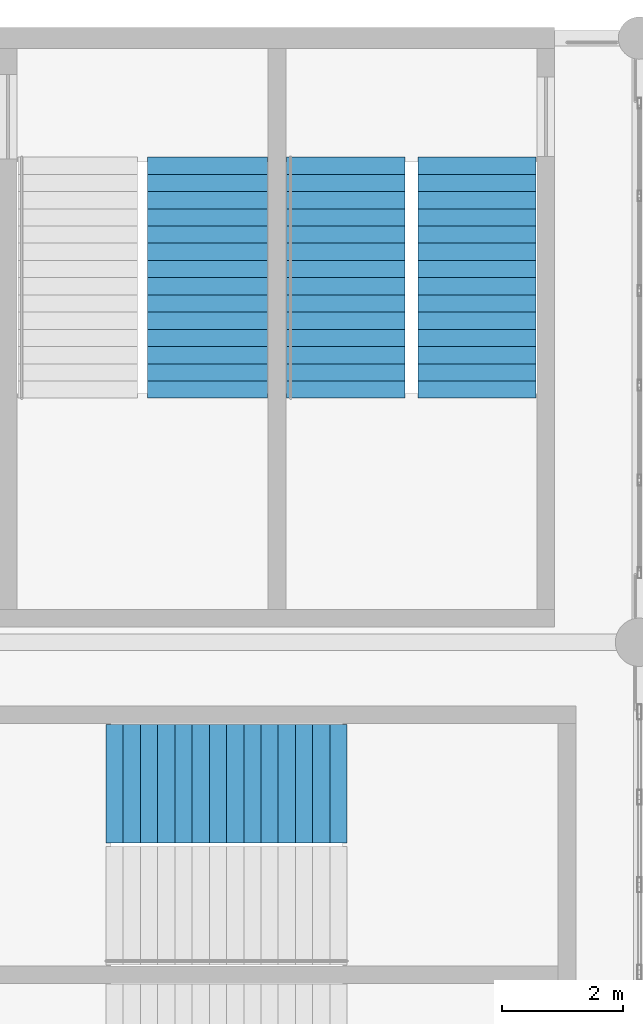
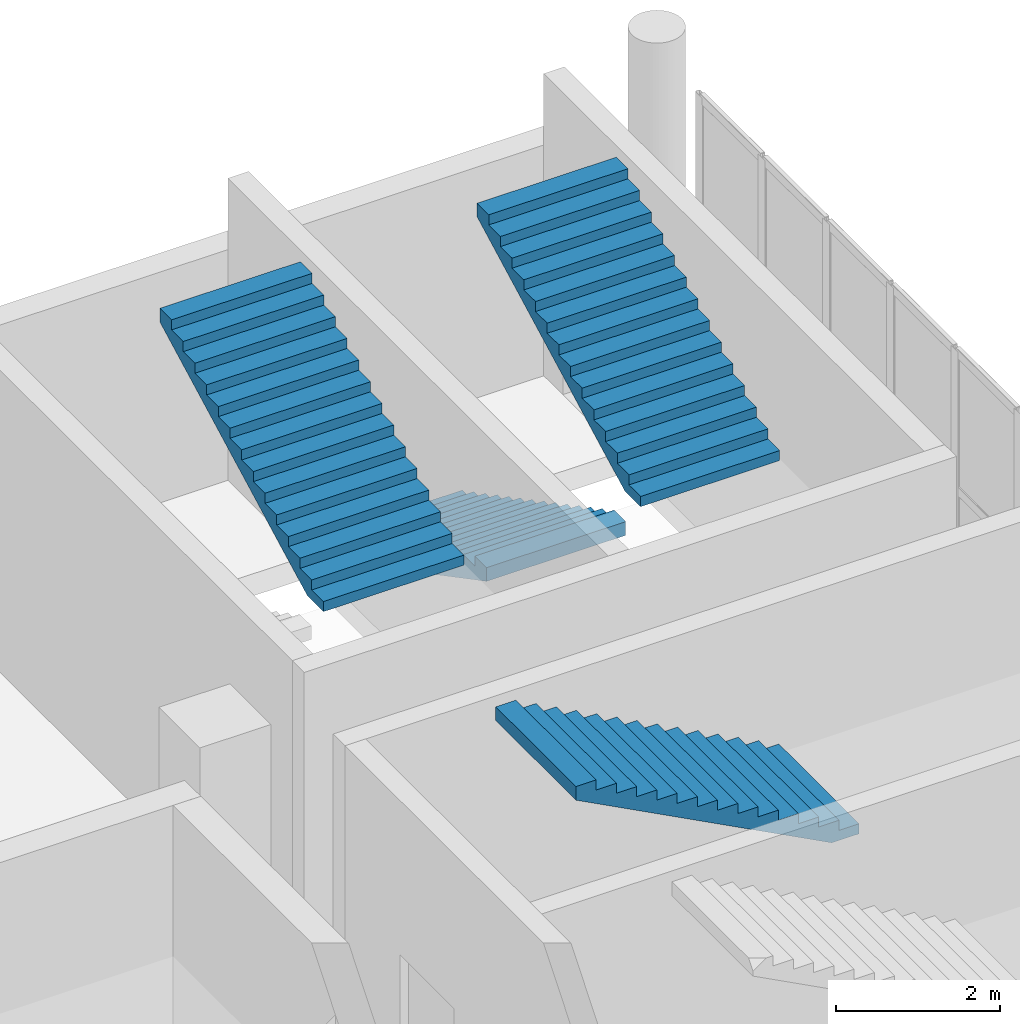
# One storey, part 91 of 108: 4 stair flights, 3 elements without a shape of their own.
"""IFC4 building model written with IfcOpenShell, lengths in metres."""

from ifc_helpers import new_model, si_unit, direction, frame, origin, place, context, subcontext, project, spatial, polyline, outline, extrude, material, layer, layer_set, type_object, element, aggregate, save


model = new_model("IFC4")

# Units and contexts
model_context = context("Model", 3, precision=1e-05, world=origin(), true_north=direction((0.0, 1.0)))
body_context = subcontext(model_context, "Body", "Model", "MODEL_VIEW")
ifc_project = project(units=[si_unit("LENGTHUNIT", "METRE"), si_unit("AREAUNIT", "SQUARE_METRE"), si_unit("VOLUMEUNIT", "CUBIC_METRE"), si_unit("PLANEANGLEUNIT", "RADIAN"), si_unit("MASSUNIT", "GRAM", prefix="KILO")], contexts=[model_context])

# Site, building, storey
site_placement = place(None, origin())
site = spatial("IfcSite", under=ifc_project, at=site_placement, CompositionType="ELEMENT")
building_placement = place(site_placement, origin())
building = spatial("IfcBuilding", under=site, at=building_placement, Name="Brinegate Civic Arena", CompositionType="ELEMENT")
storey_placement = place(building_placement, frame((0.0, 0.0, 10.199951171875)))
storey = spatial("IfcBuildingStorey", under=building, at=storey_placement, Name="L02", CompositionType="ELEMENT", Elevation=10.199951171875)

# Stair, stair flights
ifc_material = material(Name="Concrete C40/50", Category="concrete")
stair_type_1 = type_object("IfcStairType", Name="STAIR-EXIT-3700", PredefinedType="HALF_TURN_STAIR", material=ifc_material)
stair_1_placement = place(storey_placement, origin())
stair_1 = element("IfcStair", 1, at=stair_1_placement, inside=storey, type_object=stair_type_1, Name="Protected Exit Stair ST-05B (L02)", PredefinedType="HALF_TURN_STAIR")
ifc_layer_1 = layer(ifc_material, 0.179931640625, Name="Concrete C40/50")
ifc_layer_set_1 = layer_set([ifc_layer_1], Name="Concrete C40/50")
stair_flight_type_1 = type_object("IfcStairFlightType", Name="FLIGHT-EXIT-3700", PredefinedType="STRAIGHT", material=ifc_layer_set_1)
stair_flight_1_placement = place(storey_placement, frame((163.139892578125, 112.030029296875, 0.0), z_axis=(0.0, 0.0, 1.0), x_axis=(0.0, -1.0, 0.0)))
stair_flight_1 = element("IfcStairFlight", 2, at=stair_flight_1_placement, type_object=stair_flight_type_1, Name="ST-05B flight 1", NumberOfRisers=15, NumberOfTreads=14, PredefinedType="STRAIGHT", RiserHeight=0.15, TreadLength=0.285, context=body_context, shape_type="SweptSolid", body=[
    extrude(outline(polyline([(0.0, 0.0), (0.0, 0.14990234375), (0.284912109375, 0.14990234375), (0.284912109375, 0.300048828125), (0.570068359375, 0.300048828125), (0.570068359375, 0.449951171875), (0.85498046875, 0.449951171875), (0.85498046875, 0.60009765625), (1.139892578125, 0.60009765625), (1.139892578125, 0.75), (1.425048828125, 0.75), (1.425048828125, 0.89990234375), (1.7099609375, 0.89990234375), (1.7099609375, 1.050048828125), (1.9951171875, 1.050048828125), (1.9951171875, 1.199951171875), (2.280029296875, 1.199951171875), (2.280029296875, 1.35009765625), (2.56494140625, 1.35009765625), (2.56494140625, 1.5), (2.85009765625, 1.5), (2.85009765625, 1.64990234375), (3.135009765625, 1.64990234375), (3.135009765625, 1.800048828125), (3.419921875, 1.800048828125), (3.419921875, 1.949951171875), (3.705078125, 1.949951171875), (3.705078125, 2.10009765625), (3.989990234375, 2.10009765625), (3.989990234375, 2.25), (3.989990234375, 1.896728515625), (0.38623046875, 0.0), (0.0, 0.0)])), frame((0.0, 0.97998046875, 0.0), z_axis=(0.0, -1.0, 0.0), x_axis=(1.0, 0.0, 0.0)), (0.0, 0.0, 1.0), 1.9599609375),
])
stair_flight_2_placement = place(storey_placement, frame((165.31005859375, 108.0400390625, 2.25), z_axis=(0.0, 0.0, 1.0), x_axis=(0.0, 1.0, 0.0)))
stair_flight_2 = element("IfcStairFlight", 3, at=stair_flight_2_placement, type_object=stair_flight_type_1, Name="ST-05B flight 2", NumberOfRisers=15, NumberOfTreads=14, PredefinedType="STRAIGHT", RiserHeight=0.15, TreadLength=0.285, context=body_context, shape_type="SweptSolid", body=[
    extrude(outline(polyline([(0.0, 0.0), (0.0, 0.14990234375), (0.284912109375, 0.14990234375), (0.284912109375, 0.300048828125), (0.570068359375, 0.300048828125), (0.570068359375, 0.449951171875), (0.85498046875, 0.449951171875), (0.85498046875, 0.60009765625), (1.139892578125, 0.60009765625), (1.139892578125, 0.75), (1.425048828125, 0.75), (1.425048828125, 0.89990234375), (1.7099609375, 0.89990234375), (1.7099609375, 1.050048828125), (1.9951171875, 1.050048828125), (1.9951171875, 1.199951171875), (2.280029296875, 1.199951171875), (2.280029296875, 1.35009765625), (2.56494140625, 1.35009765625), (2.56494140625, 1.5), (2.85009765625, 1.5), (2.85009765625, 1.64990234375), (3.135009765625, 1.64990234375), (3.135009765625, 1.800048828125), (3.419921875, 1.800048828125), (3.419921875, 1.949951171875), (3.705078125, 1.949951171875), (3.705078125, 2.10009765625), (3.989990234375, 2.10009765625), (3.989990234375, 2.25), (3.989990234375, 1.896728515625), (0.38623046875, 0.0), (0.0, 0.0)])), frame((0.0, 0.97998046875, 0.0), z_axis=(0.0, -1.0, 0.0), x_axis=(1.0, 0.0, 0.0)), (0.0, 0.0, 1.0), 1.9599609375),
])
aggregate(stair_1, [stair_flight_1, stair_flight_2])

# Stair, stair flight
stair_2_placement = place(storey_placement, origin())
stair_2 = element("IfcStair", 4, at=stair_2_placement, inside=storey, type_object=stair_type_1, Name="Protected Exit Stair ST-20B (L02)", PredefinedType="HALF_TURN_STAIR")
stair_flight_3_placement = place(storey_placement, frame((163.159912109375, 101.659912109375, 2.25), z_axis=(0.0, 0.0, 1.0), x_axis=(-1.0, 0.0, 0.0)))
stair_flight_3 = element("IfcStairFlight", 5, at=stair_flight_3_placement, type_object=stair_flight_type_1, Name="ST-20B flight 2", NumberOfRisers=15, NumberOfTreads=14, PredefinedType="STRAIGHT", RiserHeight=0.15, TreadLength=0.285, context=body_context, shape_type="SweptSolid", body=[
    extrude(outline(polyline([(0.0, 0.0), (0.0, 0.14990234375), (0.284912109375, 0.14990234375), (0.284912109375, 0.300048828125), (0.570068359375, 0.300048828125), (0.570068359375, 0.449951171875), (0.85498046875, 0.449951171875), (0.85498046875, 0.60009765625), (1.139892578125, 0.60009765625), (1.139892578125, 0.75), (1.425048828125, 0.75), (1.425048828125, 0.89990234375), (1.7099609375, 0.89990234375), (1.7099609375, 1.050048828125), (1.9951171875, 1.050048828125), (1.9951171875, 1.199951171875), (2.280029296875, 1.199951171875), (2.280029296875, 1.35009765625), (2.56494140625, 1.35009765625), (2.56494140625, 1.5), (2.85009765625, 1.5), (2.85009765625, 1.64990234375), (3.135009765625, 1.64990234375), (3.135009765625, 1.800048828125), (3.419921875, 1.800048828125), (3.419921875, 1.949951171875), (3.705078125, 1.949951171875), (3.705078125, 2.10009765625), (3.989990234375, 2.10009765625), (3.989990234375, 2.25), (3.989990234375, 1.896728515625), (0.38623046875, 0.0), (0.0, 0.0)])), frame((0.0, 0.97998046875, 0.0), z_axis=(0.0, -1.0, 0.0), x_axis=(1.0, 0.0, 0.0)), (0.0, 0.0, 1.0), 1.9599609375),
])
aggregate(stair_2, [stair_flight_3])

stair_type_2 = type_object("IfcStairType", Name="STAIR-EXIT-3850", PredefinedType="HALF_TURN_STAIR", material=ifc_material)
stair_3_placement = place(storey_placement, origin())
stair_3 = element("IfcStair", 6, at=stair_3_placement, inside=storey, type_object=stair_type_2, Name="Protected Exit Stair ST-05A (L02)", PredefinedType="HALF_TURN_STAIR")
ifc_layer_2 = layer(ifc_material, 0.179931640625, Name="Concrete C40/50")
ifc_layer_set_2 = layer_set([ifc_layer_2], Name="Concrete C40/50")
stair_flight_type_2 = type_object("IfcStairFlightType", Name="FLIGHT-EXIT-3850", PredefinedType="STRAIGHT", material=ifc_layer_set_2)
stair_flight_4_placement = place(storey_placement, frame((160.85009765625, 108.0400390625, 2.25), z_axis=(0.0, 0.0, 1.0), x_axis=(0.0, 1.0, 0.0)))
stair_flight_4 = element("IfcStairFlight", 7, at=stair_flight_4_placement, type_object=stair_flight_type_2, Name="ST-05A flight 2", NumberOfRisers=15, NumberOfTreads=14, PredefinedType="STRAIGHT", RiserHeight=0.15, TreadLength=0.285, context=body_context, shape_type="SweptSolid", body=[
    extrude(outline(polyline([(0.0, 0.0), (0.0, 0.14990234375), (0.284912109375, 0.14990234375), (0.284912109375, 0.300048828125), (0.570068359375, 0.300048828125), (0.570068359375, 0.449951171875), (0.85498046875, 0.449951171875), (0.85498046875, 0.60009765625), (1.139892578125, 0.60009765625), (1.139892578125, 0.75), (1.425048828125, 0.75), (1.425048828125, 0.89990234375), (1.7099609375, 0.89990234375), (1.7099609375, 1.050048828125), (1.9951171875, 1.050048828125), (1.9951171875, 1.199951171875), (2.280029296875, 1.199951171875), (2.280029296875, 1.35009765625), (2.56494140625, 1.35009765625), (2.56494140625, 1.5), (2.85009765625, 1.5), (2.85009765625, 1.64990234375), (3.135009765625, 1.64990234375), (3.135009765625, 1.800048828125), (3.419921875, 1.800048828125), (3.419921875, 1.949951171875), (3.705078125, 1.949951171875), (3.705078125, 2.10009765625), (3.989990234375, 2.10009765625), (3.989990234375, 2.25), (3.989990234375, 1.896728515625), (0.38623046875, 0.0), (0.0, 0.0)])), frame((0.0, 0.989990234375, 0.0), z_axis=(0.0, -1.0, 0.0), x_axis=(1.0, 0.0, 0.0)), (0.0, 0.0, 1.0), 1.97998046875),
])
aggregate(stair_3, [stair_flight_4])

save(model, "model.ifc")
